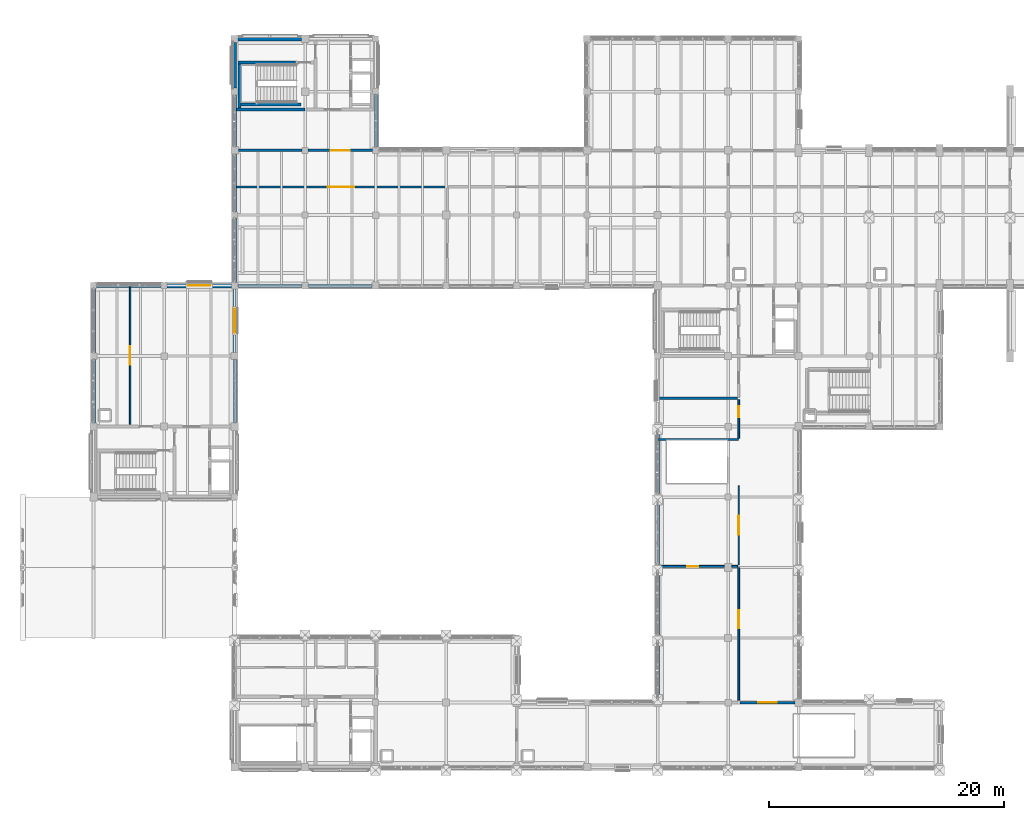
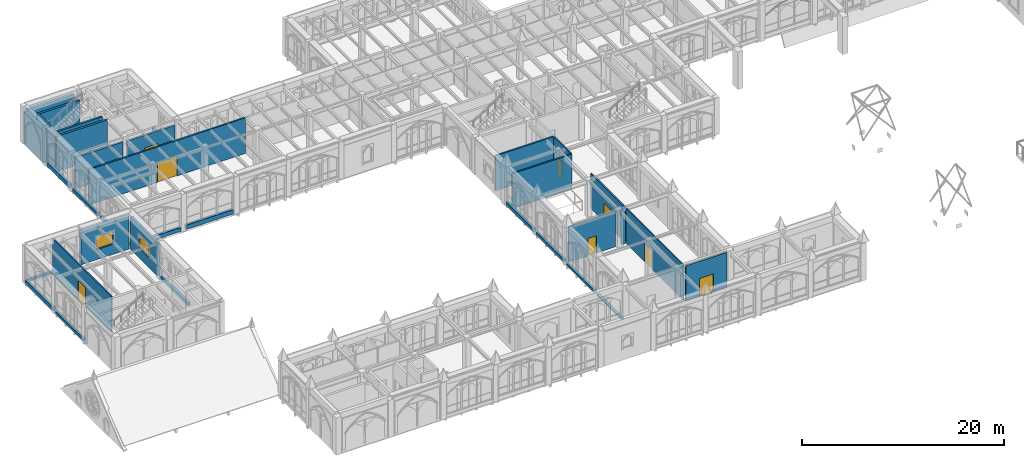
# One storey, part 103 of 143: 34 walls, 8 doors, 2 windows, 10 openings.
"""IFC4 building model written with IfcOpenShell, lengths in metres."""

from ifc_helpers import new_model, si_unit, direction, frame, frame_2d, origin, place, context, subcontext, project, spatial, rectangle, extrude, material, layer, layer_set, type_object, element, fill, save


model = new_model("IFC4")

# Units and contexts
model_context = context("Model", 3, precision=1e-05, world=origin(), true_north=direction((0.0, 1.0)))
body_context = subcontext(model_context, "Body", "Model", "MODEL_VIEW")
ifc_project = project(units=[si_unit("LENGTHUNIT", "METRE"), si_unit("AREAUNIT", "SQUARE_METRE"), si_unit("VOLUMEUNIT", "CUBIC_METRE"), si_unit("PLANEANGLEUNIT", "RADIAN"), si_unit("MASSUNIT", "GRAM", prefix="KILO")], contexts=[model_context])

# Site, building, storey
site_placement = place(None, origin())
site = spatial("IfcSite", under=ifc_project, at=site_placement, CompositionType="ELEMENT")
building_placement = place(site_placement, origin())
building = spatial("IfcBuilding", under=site, at=building_placement, Name="Cumevento Cable Car Station", CompositionType="ELEMENT")
storey_placement = place(building_placement, frame((0.0, 0.0, 9.0)))
storey = spatial("IfcBuildingStorey", under=building, at=storey_placement, Name="L03", CompositionType="ELEMENT", Elevation=9.0)

# Walls
ifc_material_1 = material(Name="Gnaisse Facoidal Stone Ashlar 85 MPa", Category="masonry")
ifc_layer_1 = layer(ifc_material_1, 0.294921875)
ifc_layer_set_1 = layer_set([ifc_layer_1], Name="Gnaisse Facoidal Stone Ashlar 85 MPa")
wall_type_1 = type_object("IfcWallType", Name="Exterior Envelope Wall EW-295 295", PredefinedType="SOLIDWALL", material=ifc_layer_set_1)
wall_1_placement = place(storey_placement, frame((58.0, 9.824951171875, 0.0), z_axis=(0.0, 0.0, 1.0), x_axis=(0.0, 1.0, 0.0)))
element("IfcWall", 1, at=wall_1_placement, inside=storey, type_object=wall_type_1, Name="Exterior Sill Curb Wall EW-295 L03 #201", PredefinedType="SOLIDWALL", context=body_context, shape_type="SweptSolid", body=[
    extrude(rectangle(XDim=4.925048828125, YDim=0.294921875, at=frame_2d((2.46240234375, 0.0))), origin(), (0.0, 0.0, 1.0), 0.159912109375),
])
wall_2_placement = place(storey_placement, frame((58.0, 15.25, 0.0), z_axis=(0.0, 0.0, 1.0), x_axis=(0.0, 1.0, 0.0)))
element("IfcWall", 2, at=wall_2_placement, inside=storey, type_object=wall_type_1, Name="Exterior Sill Curb Wall EW-295 L03 #203", PredefinedType="SOLIDWALL", context=body_context, shape_type="SweptSolid", body=[
    extrude(rectangle(XDim=5.47509765625, YDim=0.294921875, at=frame_2d((2.737548828125, 0.0))), origin(), (0.0, 0.0, 1.0), 0.260009765625),
])
wall_3_placement = place(storey_placement, frame((58.0, 21.27490234375, 0.0), z_axis=(0.0, 0.0, 1.0), x_axis=(0.0, 1.0, 0.0)))
element("IfcWall", 3, at=wall_3_placement, inside=storey, type_object=wall_type_1, Name="Exterior Sill Curb Wall EW-295 L03 #205", PredefinedType="SOLIDWALL", context=body_context, shape_type="SweptSolid", body=[
    extrude(rectangle(XDim=5.425048828125, YDim=0.294921875, at=frame_2d((2.71240234375, 0.0))), origin(), (0.0, 0.0, 1.0), 0.360107421875),
])
wall_4_placement = place(storey_placement, frame((58.0, 27.300048828125, 0.0), z_axis=(0.0, 0.0, 1.0), x_axis=(0.0, 1.0, 0.0)))
element("IfcWall", 4, at=wall_4_placement, inside=storey, type_object=wall_type_1, Name="Exterior Sill Curb Wall EW-295 L03 #207", PredefinedType="SOLIDWALL", context=body_context, shape_type="SweptSolid", body=[
    extrude(rectangle(XDim=5.375, YDim=0.294921875, at=frame_2d((2.6875, 0.0))), origin(), (0.0, 0.0, 1.0), 0.409912109375),
])
wall_5_placement = place(storey_placement, frame((10.25, 45.0, 0.0), z_axis=(0.0, 0.0, 1.0), x_axis=(1.0, 0.0, 0.0)))
element("IfcWall", 5, at=wall_5_placement, inside=storey, type_object=wall_type_1, Name="Exterior Sill Curb Wall EW-295 L03 #219", PredefinedType="SOLIDWALL", context=body_context, shape_type="SweptSolid", body=[
    extrude(rectangle(XDim=5.5, YDim=0.294921875, at=frame_2d((2.75, 0.0))), origin(), (0.0, 0.0, 1.0), 0.260009765625),
])
wall_6_placement = place(storey_placement, frame((10.0, 33.300048828125, 0.0), z_axis=(0.0, 0.0, 1.0), x_axis=(0.0, 1.0, 0.0)))
element("IfcWall", 6, at=wall_6_placement, inside=storey, type_object=wall_type_1, Name="Exterior Sill Curb Wall EW-295 L03 #221", PredefinedType="SOLIDWALL", context=body_context, shape_type="SweptSolid", body=[
    extrude(rectangle(XDim=5.425048828125, YDim=0.294921875, at=frame_2d((2.71240234375, 0.0))), origin(), (0.0, 0.0, 1.0), 0.31005859375),
])
wall_7_placement = place(storey_placement, frame((22.0, 38.699951171875, 0.0), z_axis=(0.0, 0.0, 1.0), x_axis=(0.0, -1.0, 0.0)))
element("IfcWall", 7, at=wall_7_placement, inside=storey, type_object=wall_type_1, Name="Exterior Sill Curb Wall EW-295 L03 #222", PredefinedType="SOLIDWALL", context=body_context, shape_type="SweptSolid", body=[
    extrude(rectangle(XDim=5.375, YDim=0.294921875, at=frame_2d((2.6875, 0.0))), origin(), (0.0, 0.0, 1.0), 0.360107421875),
])
wall_8_placement = place(storey_placement, frame((10.0, 39.27490234375, 0.0), z_axis=(0.0, 0.0, 1.0), x_axis=(0.0, 1.0, 0.0)))
element("IfcWall", 8, at=wall_8_placement, inside=storey, type_object=wall_type_1, Name="Exterior Sill Curb Wall EW-295 L03 #223", PredefinedType="SOLIDWALL", context=body_context, shape_type="SweptSolid", body=[
    extrude(rectangle(XDim=5.47509765625, YDim=0.294921875, at=frame_2d((2.737548828125, 0.0))), origin(), (0.0, 0.0, 1.0), 0.409912109375),
])
wall_9_placement = place(storey_placement, frame((27.72509765625, 45.0, 0.0), z_axis=(0.0, 0.0, 1.0), x_axis=(-1.0, 0.0, 0.0)))
element("IfcWall", 9, at=wall_9_placement, inside=storey, type_object=wall_type_1, Name="Exterior Sill Curb Wall EW-295 L03 #225", PredefinedType="SOLIDWALL", context=body_context, shape_type="SweptSolid", body=[
    extrude(rectangle(XDim=5.4501953125, YDim=0.294921875, at=frame_2d((2.72509765625, 0.0))), origin(), (0.0, 0.0, 1.0), 0.4599609375),
])
wall_10_placement = place(storey_placement, frame((33.699951171875, 45.0, 0.0), z_axis=(0.0, 0.0, 1.0), x_axis=(-1.0, 0.0, 0.0)))
element("IfcWall", 10, at=wall_10_placement, inside=storey, type_object=wall_type_1, Name="Exterior Sill Curb Wall EW-295 L03 #226", PredefinedType="SOLIDWALL", context=body_context, shape_type="SweptSolid", body=[
    extrude(rectangle(XDim=5.425048828125, YDim=0.294921875, at=frame_2d((2.71240234375, 0.0))), origin(), (0.0, 0.0, 1.0), 0.52001953125),
])
wall_11_placement = place(storey_placement, frame((22.0, 45.27490234375, 0.0), z_axis=(0.0, 0.0, 1.0), x_axis=(0.0, 1.0, 0.0)))
element("IfcWall", 11, at=wall_11_placement, inside=storey, type_object=wall_type_1, Name="Exterior Sill Curb Wall EW-295 L03 #233", PredefinedType="SOLIDWALL", context=body_context, shape_type="SweptSolid", body=[
    extrude(rectangle(XDim=5.47509765625, YDim=0.294921875, at=frame_2d((2.737548828125, 0.0))), origin(), (0.0, 0.0, 1.0), 0.360107421875),
])
wall_12_placement = place(storey_placement, frame((22.0, 51.25, 0.0), z_axis=(0.0, 0.0, 1.0), x_axis=(0.0, 1.0, 0.0)))
element("IfcWall", 12, at=wall_12_placement, inside=storey, type_object=wall_type_1, Name="Exterior Sill Curb Wall EW-295 L03 #234", PredefinedType="SOLIDWALL", context=body_context, shape_type="SweptSolid", body=[
    extrude(rectangle(XDim=4.925048828125, YDim=0.294921875, at=frame_2d((2.46240234375, 0.0))), origin(), (0.0, 0.0, 1.0), 0.409912109375),
])
wall_13_placement = place(storey_placement, frame((22.0, 56.824951171875, 0.0), z_axis=(0.0, 0.0, 1.0), x_axis=(0.0, 1.0, 0.0)))
element("IfcWall", 13, at=wall_13_placement, inside=storey, type_object=wall_type_1, Name="Exterior Sill Curb Wall EW-295 L03 #237", PredefinedType="SOLIDWALL", context=body_context, shape_type="SweptSolid", body=[
    extrude(rectangle(XDim=4.375, YDim=0.294921875, at=frame_2d((2.1875, 0.0))), origin(), (0.0, 0.0, 1.0), 0.4599609375),
])
wall_14_placement = place(storey_placement, frame((34.0, 61.25, 0.0), z_axis=(0.0, 0.0, 1.0), x_axis=(0.0, -1.0, 0.0)))
element("IfcWall", 14, at=wall_14_placement, inside=storey, type_object=wall_type_1, Name="Exterior Sill Curb Wall EW-295 L03 #238", PredefinedType="SOLIDWALL", context=body_context, shape_type="SweptSolid", body=[
    extrude(rectangle(XDim=4.47509765625, YDim=0.294921875, at=frame_2d((2.237548828125, 0.0))), origin(), (0.0, 0.0, 1.0), 0.52001953125),
])

# Wall, opening, window
ifc_material_2 = material(Name="Gnaisse Facoidal Stone Ashlar 85 MPa", Category="masonry")
ifc_layer_2 = layer(ifc_material_2, 0.31005859375)
ifc_layer_set_2 = layer_set([ifc_layer_2], Name="Gnaisse Facoidal Stone Ashlar 85 MPa")
wall_type_2 = type_object("IfcWallType", Name="Exterior Envelope Wall EW-310 310", PredefinedType="SOLIDWALL", material=ifc_layer_set_2)
wall_15_placement = place(storey_placement, frame((22.0, 44.72509765625, 0.0), z_axis=(0.0, 0.0, 1.0), x_axis=(0.0, -1.0, 0.0)))
wall_15 = element("IfcWall", 15, at=wall_15_placement, inside=storey, type_object=wall_type_2, Name="Exterior Wall EW-310 L03 #224", PredefinedType="SOLIDWALL", context=body_context, shape_type="SweptSolid", body=[
    extrude(rectangle(XDim=5.425048828125, YDim=0.31005859375, at=frame_2d((2.71240234375, 0.0))), origin(), (0.0, 0.0, 1.0), 3.89306640625),
])
opening_1_placement = place(wall_15_placement, frame((1.6875, 0.0, 1.199951171875)))
opening_1 = element("IfcOpeningElement", 16, at=opening_1_placement, cuts=wall_15, Name="Opening WN-L03-072", PredefinedType="OPENING", context=body_context, shape_type="SweptSolid", body=[
    extrude(rectangle(XDim=2.050048828125, YDim=1.550048828125, at=frame_2d((1.02490234375, 0.77490234375))), frame((0.0, 0.1650390625, 0.0), z_axis=(0.0, -1.0, 0.0), x_axis=(1.0, 0.0, 0.0)), (0.0, 0.0, 1.0), 0.330078125),
])
ifc_material_3 = material(Name="Anodised Bronze Aluminium & Laminated Solar Glass", Category="aluminium")
window_type_1 = type_object("IfcWindowType", Name="Lancet Window WN-24 2050x1550", PartitioningType="DOUBLE_PANEL_VERTICAL", PredefinedType="WINDOW", material=ifc_material_3)
window_1_placement = place(opening_1_placement, origin())
window_1 = element("IfcWindow", 17, at=window_1_placement, inside=storey, type_object=window_type_1, Name="Lancet Window WN-L03-072 (WN-24)", OverallHeight=1.550048828125, OverallWidth=2.050048828125, PartitioningType="SINGLE_PANEL", PredefinedType="WINDOW", context=body_context, shape_type="SweptSolid", body=[
    extrude(rectangle(XDim=2.050048828125, YDim=1.550048828125, at=frame_2d((1.02490234375, 0.77490234375))), frame((0.0, 0.030029296875, 0.0), z_axis=(0.0, -1.0, 0.0), x_axis=(1.0, 0.0, 0.0)), (0.0, 0.0, 1.0), 0.06005859375),
])
fill(opening_1, window_1)

# Walls
ifc_material_4 = material(Name="Concrete C40/50", Category="concrete")
ifc_layer_3 = layer(ifc_material_4, 0.35498046875)
ifc_layer_set_3 = layer_set([ifc_layer_3], Name="Concrete C40/50")
wall_type_3 = type_object("IfcWallType", Name="Exterior Envelope Wall EW-355 355", PredefinedType="SOLIDWALL", material=ifc_layer_set_3)
wall_16_placement = place(storey_placement, frame((22.300048828125, 66.0, 0.0), z_axis=(0.0, 0.0, 1.0), x_axis=(1.0, 0.0, 0.0)))
element("IfcWall", 18, at=wall_16_placement, inside=storey, type_object=wall_type_3, Name="Exterior Wall EW-355 L03 #235", PredefinedType="SOLIDWALL", context=body_context, shape_type="SweptSolid", body=[
    extrude(rectangle(XDim=5.375, YDim=0.35498046875, at=frame_2d((2.6875, 0.0))), origin(), (0.0, 0.0, 1.0), 3.85693359375),
])
wall_17_placement = place(storey_placement, frame((22.0, 61.800048828125, 0.0), z_axis=(0.0, 0.0, 1.0), x_axis=(0.0, 1.0, 0.0)))
element("IfcWall", 19, at=wall_17_placement, inside=storey, type_object=wall_type_3, Name="Exterior Wall EW-355 L03 #239", PredefinedType="SOLIDWALL", context=body_context, shape_type="SweptSolid", body=[
    extrude(rectangle(XDim=3.89990234375, YDim=0.35498046875, at=frame_2d((1.949951171875, 0.0))), origin(), (0.0, 0.0, 1.0), 3.85693359375),
])

# Wall, opening, window
ifc_material_5 = material(Name="Concrete C40/50", Category="concrete")
ifc_layer_4 = layer(ifc_material_5, 0.449951171875)
ifc_layer_set_4 = layer_set([ifc_layer_4], Name="Concrete C40/50")
wall_type_4 = type_object("IfcWallType", Name="Exterior Envelope Wall EW-450 450", PredefinedType="SOLIDWALL", material=ifc_layer_set_4)
wall_18_placement = place(storey_placement, frame((16.25, 45.0, 0.0), z_axis=(0.0, 0.0, 1.0), x_axis=(1.0, 0.0, 0.0)))
wall_18 = element("IfcWall", 20, at=wall_18_placement, inside=storey, type_object=wall_type_4, Name="Exterior Wall EW-450 L03 #220", PredefinedType="SOLIDWALL", context=body_context, shape_type="SweptSolid", body=[
    extrude(rectangle(XDim=5.47509765625, YDim=0.449951171875, at=frame_2d((2.737548828125, 0.0))), origin(), (0.0, 0.0, 1.0), 3.89306640625),
])
opening_2_placement = place(wall_18_placement, frame((1.78759765625, 0.0, 1.199951171875)))
opening_2 = element("IfcOpeningElement", 21, at=opening_2_placement, cuts=wall_18, Name="Opening WN-L03-071", PredefinedType="OPENING", context=body_context, shape_type="SweptSolid", body=[
    extrude(rectangle(XDim=1.89990234375, YDim=1.550048828125, at=frame_2d((0.949951171875, 0.77490234375))), frame((0.0, 0.235107421875, 0.0), z_axis=(0.0, -1.0, 0.0), x_axis=(1.0, 0.0, 0.0)), (0.0, 0.0, 1.0), 0.469970703125),
])
ifc_material_6 = material(Name="Anodised Bronze Aluminium & Laminated Solar Glass", Category="aluminium")
window_type_2 = type_object("IfcWindowType", Name="Lancet Window WN-23 1900x1550", PartitioningType="DOUBLE_PANEL_VERTICAL", PredefinedType="WINDOW", material=ifc_material_6)
window_2_placement = place(opening_2_placement, origin())
window_2 = element("IfcWindow", 22, at=window_2_placement, inside=storey, type_object=window_type_2, Name="Lancet Window WN-L03-071 (WN-23)", OverallHeight=1.550048828125, OverallWidth=1.89990234375, PartitioningType="SINGLE_PANEL", PredefinedType="WINDOW", context=body_context, shape_type="SweptSolid", body=[
    extrude(rectangle(XDim=1.89990234375, YDim=1.550048828125, at=frame_2d((0.949951171875, 0.77490234375))), frame((0.0, 0.030029296875, 0.0), z_axis=(0.0, -1.0, 0.0), x_axis=(1.0, 0.0, 0.0)), (0.0, 0.0, 1.0), 0.06005859375),
])
fill(opening_2, window_2)

# Wall, opening, door
ifc_material_7 = material(Name="Concrete C40/50", Category="concrete")
ifc_layer_5 = layer(ifc_material_7, 0.219970703125)
ifc_layer_set_5 = layer_set([ifc_layer_5], Name="Concrete C40/50")
wall_type_5 = type_object("IfcWallType", Name="Interior Partition FW-220 220", PredefinedType="SOLIDWALL", material=ifc_layer_set_5)
wall_19_placement = place(storey_placement, frame((65.0, 9.5, 0.0), z_axis=(0.0, 0.0, 1.0), x_axis=(1.0, 0.0, 0.0)))
wall_19 = element("IfcWall", 23, at=wall_19_placement, inside=storey, type_object=wall_type_5, Name="Interior Wall FW-220 L03 #635", PredefinedType="SOLIDWALL", context=body_context, shape_type="SweptSolid", body=[
    extrude(rectangle(XDim=4.673095703125, YDim=0.219970703125, at=frame_2d((2.33642578125, 0.0))), origin(), (0.0, 0.0, 1.0), 4.239990234375),
])
opening_3_placement = place(wall_19_placement, frame((1.54638671875, 0.0, 0.0)))
opening_3 = element("IfcOpeningElement", 24, at=opening_3_placement, cuts=wall_19, Name="Opening DR-L03-236", PredefinedType="OPENING", context=body_context, shape_type="SweptSolid", body=[
    extrude(rectangle(XDim=1.580078125, YDim=2.199951171875, at=frame_2d((0.7900390625, 1.10009765625))), frame((0.0, 0.119873046875, 0.0), z_axis=(0.0, -1.0, 0.0), x_axis=(1.0, 0.0, 0.0)), (0.0, 0.0, 1.0), 0.239990234375),
])
ifc_material_8 = material(Name="Galvanised Painted Steel Fire Door", Category="steel")
door_type_1 = type_object("IfcDoorType", Name="Interior Door FD-06 1580x2200", OperationType="NOTDEFINED", PredefinedType="DOOR", material=ifc_material_8)
door_1_placement = place(opening_3_placement, origin())
door_1 = element("IfcDoor", 25, at=door_1_placement, inside=storey, type_object=door_type_1, Name="Interior Door DR-L03-236 (FD-06)", OperationType="DOUBLE_DOOR_SINGLE_SWING", OverallHeight=2.199951171875, OverallWidth=1.580078125, PredefinedType="DOOR", context=body_context, shape_type="SweptSolid", body=[
    extrude(rectangle(XDim=1.580078125, YDim=2.199951171875, at=frame_2d((0.7900390625, 1.10009765625))), frame((0.0, 0.02490234375, 0.0), z_axis=(0.0, -1.0, 0.0), x_axis=(1.0, 0.0, 0.0)), (0.0, 0.0, 1.0), 0.050048828125),
])
fill(opening_3, door_1)

wall_20_placement = place(storey_placement, frame((28.251953125, 56.5, 0.0), z_axis=(0.0, 0.0, 1.0), x_axis=(1.0, 0.0, 0.0)))
wall_20 = element("IfcWall", 26, at=wall_20_placement, inside=storey, type_object=wall_type_5, Name="Interior Wall FW-220 L03 #656", PredefinedType="SOLIDWALL", context=body_context, shape_type="SweptSolid", body=[
    extrude(rectangle(XDim=5.470947265625, YDim=0.219970703125, at=frame_2d((2.7353515625, 0.0))), origin(), (0.0, 0.0, 1.0), 3.72509765625),
])
opening_4_placement = place(wall_20_placement, frame((1.945556640625, 0.0, 0.0)))
opening_4 = element("IfcOpeningElement", 27, at=opening_4_placement, cuts=wall_20, Name="Opening DR-L03-251", PredefinedType="OPENING", context=body_context, shape_type="SweptSolid", body=[
    extrude(rectangle(XDim=1.580078125, YDim=2.199951171875, at=frame_2d((0.7900390625, 1.10009765625))), frame((0.0, 0.119873046875, 0.0), z_axis=(0.0, -1.0, 0.0), x_axis=(1.0, 0.0, 0.0)), (0.0, 0.0, 1.0), 0.239990234375),
])
door_2_placement = place(opening_4_placement, origin())
door_2 = element("IfcDoor", 28, at=door_2_placement, inside=storey, type_object=door_type_1, Name="Interior Door DR-L03-251 (FD-06)", OperationType="DOUBLE_DOOR_SINGLE_SWING", OverallHeight=2.199951171875, OverallWidth=1.580078125, PredefinedType="DOOR", context=body_context, shape_type="SweptSolid", body=[
    extrude(rectangle(XDim=1.580078125, YDim=2.199951171875, at=frame_2d((0.7900390625, 1.10009765625))), frame((0.0, 0.02490234375, 0.0), z_axis=(0.0, -1.0, 0.0), x_axis=(1.0, 0.0, 0.0)), (0.0, 0.0, 1.0), 0.050048828125),
])
fill(opening_4, door_2)

# Wall
wall_21_placement = place(storey_placement, frame((22.326904296875, 56.5, 0.0), z_axis=(0.0, 0.0, 1.0), x_axis=(1.0, 0.0, 0.0)))
element("IfcWall", 29, at=wall_21_placement, inside=storey, type_object=wall_type_5, Name="Interior Wall FW-220 L03 #657", PredefinedType="SOLIDWALL", context=body_context, shape_type="SweptSolid", body=[
    extrude(rectangle(XDim=5.421142578125, YDim=0.219970703125, at=frame_2d((2.71044921875, 0.0))), origin(), (0.0, 0.0, 1.0), 3.801025390625),
])

# Wall, opening, door
ifc_material_9 = material(Name="Gypsum Board & Insulated Stud Partition", Category="gypsum")
ifc_layer_6 = layer(ifc_material_9, 0.135009765625)
ifc_layer_set_6 = layer_set([ifc_layer_6], Name="Gypsum Board & Insulated Stud Partition")
wall_type_6 = type_object("IfcWallType", Name="Interior Partition PT-135 135", PredefinedType="PARTITIONING", material=ifc_layer_set_6)
wall_22_placement = place(storey_placement, frame((64.89990234375, 9.699951171875, 0.0), z_axis=(0.0, 0.0, 1.0), x_axis=(0.0, 1.0, 0.0)))
wall_22 = element("IfcWall", 30, at=wall_22_placement, inside=storey, type_object=wall_type_6, Name="Interior Wall PT-135 L03 #638", PredefinedType="PARTITIONING", context=body_context, shape_type="SweptSolid", body=[
    extrude(rectangle(XDim=11.300048828125, YDim=0.135009765625, at=frame_2d((5.64990234375, 0.0))), origin(), (0.0, 0.0, 1.0), 4.239990234375),
])
opening_5_placement = place(wall_22_placement, frame((6.1298828125, 0.0, 0.0)))
opening_5 = element("IfcOpeningElement", 31, at=opening_5_placement, cuts=wall_22, Name="Opening DR-L03-238", PredefinedType="OPENING", context=body_context, shape_type="SweptSolid", body=[
    extrude(rectangle(XDim=1.5400390625, YDim=2.260009765625, at=frame_2d((0.77001953125, 1.1298828125))), frame((0.0, 0.077392578125, 0.0), z_axis=(0.0, -1.0, 0.0), x_axis=(1.0, 0.0, 0.0)), (0.0, 0.0, 1.0), 0.155029296875),
])
ifc_material_10 = material(Name="Anodised Bronze Aluminium Glazed Door", Category="aluminium")
door_type_2 = type_object("IfcDoorType", Name="Interior Door ID-11 1540x2260", OperationType="NOTDEFINED", PredefinedType="DOOR", material=ifc_material_10)
door_3_placement = place(opening_5_placement, origin())
door_3 = element("IfcDoor", 32, at=door_3_placement, inside=storey, type_object=door_type_2, Name="Interior Door DR-L03-238 (ID-11)", OperationType="DOUBLE_DOOR_SINGLE_SWING", OverallHeight=2.260009765625, OverallWidth=1.5400390625, PredefinedType="DOOR", context=body_context, shape_type="SweptSolid", body=[
    extrude(rectangle(XDim=1.5400390625, YDim=2.260009765625, at=frame_2d((0.77001953125, 1.1298828125))), frame((0.0, 0.02490234375, 0.0), z_axis=(0.0, -1.0, 0.0), x_axis=(1.0, 0.0, 0.0)), (0.0, 0.0, 1.0), 0.050048828125),
])
fill(opening_5, door_3)

wall_23_placement = place(storey_placement, frame((13.10009765625, 33.199951171875, 0.0), z_axis=(0.0, 0.0, 1.0), x_axis=(0.0, 1.0, 0.0)))
wall_23 = element("IfcWall", 33, at=wall_23_placement, inside=storey, type_object=wall_type_6, Name="Interior Wall PT-135 L03 #649", PredefinedType="PARTITIONING", context=body_context, shape_type="SweptSolid", body=[
    extrude(rectangle(XDim=11.68798828125, YDim=0.135009765625, at=frame_2d((5.843994140625, 0.0))), origin(), (0.0, 0.0, 1.0), 4.300048828125),
])
opening_6_placement = place(wall_23_placement, frame((5.073974609375, 0.0, 0.0)))
opening_6 = element("IfcOpeningElement", 34, at=opening_6_placement, cuts=wall_23, Name="Opening DR-L03-246", PredefinedType="OPENING", context=body_context, shape_type="SweptSolid", body=[
    extrude(rectangle(XDim=1.5400390625, YDim=2.260009765625, at=frame_2d((0.77001953125, 1.1298828125))), frame((0.0, 0.077392578125, 0.0), z_axis=(0.0, -1.0, 0.0), x_axis=(1.0, 0.0, 0.0)), (0.0, 0.0, 1.0), 0.155029296875),
])
door_4_placement = place(opening_6_placement, origin())
door_4 = element("IfcDoor", 35, at=door_4_placement, inside=storey, type_object=door_type_2, Name="Interior Door DR-L03-246 (ID-11)", OperationType="DOUBLE_DOOR_SINGLE_SWING", OverallHeight=2.260009765625, OverallWidth=1.5400390625, PredefinedType="DOOR", context=body_context, shape_type="SweptSolid", body=[
    extrude(rectangle(XDim=1.5400390625, YDim=2.260009765625, at=frame_2d((0.77001953125, 1.1298828125))), frame((0.0, 0.02490234375, 0.0), z_axis=(0.0, -1.0, 0.0), x_axis=(1.0, 0.0, 0.0)), (0.0, 0.0, 1.0), 0.050048828125),
])
fill(opening_6, door_4)

ifc_material_11 = material(Name="Gypsum Board & Insulated Stud Partition", Category="gypsum")
ifc_layer_7 = layer(ifc_material_11, 0.14501953125)
ifc_layer_set_7 = layer_set([ifc_layer_7], Name="Gypsum Board & Insulated Stud Partition")
wall_type_7 = type_object("IfcWallType", Name="Interior Partition PT-145 145", PredefinedType="PARTITIONING", material=ifc_layer_set_7)
wall_24_placement = place(storey_placement, frame((64.89990234375, 21.199951171875, 0.0), z_axis=(0.0, 0.0, 1.0), x_axis=(0.0, 1.0, 0.0)))
wall_24 = element("IfcWall", 36, at=wall_24_placement, inside=storey, type_object=wall_type_7, Name="Interior Wall PT-145 L03 #639", PredefinedType="PARTITIONING", context=body_context, shape_type="SweptSolid", body=[
    extrude(rectangle(XDim=6.800048828125, YDim=0.14501953125, at=frame_2d((3.39990234375, 0.0))), origin(), (0.0, 0.0, 1.0), 4.239990234375),
])
opening_7_placement = place(wall_24_placement, frame((2.610107421875, 0.0, 0.0)))
opening_7 = element("IfcOpeningElement", 37, at=opening_7_placement, cuts=wall_24, Name="Opening DR-L03-239", PredefinedType="OPENING", context=body_context, shape_type="SweptSolid", body=[
    extrude(rectangle(XDim=1.580078125, YDim=2.199951171875, at=frame_2d((0.7900390625, 1.10009765625))), frame((0.0, 0.08251953125, 0.0), z_axis=(0.0, -1.0, 0.0), x_axis=(1.0, 0.0, 0.0)), (0.0, 0.0, 1.0), 0.1650390625),
])
door_5_placement = place(opening_7_placement, origin())
door_5 = element("IfcDoor", 38, at=door_5_placement, inside=storey, type_object=door_type_1, Name="Interior Door DR-L03-239 (FD-06)", OperationType="DOUBLE_DOOR_SINGLE_SWING", OverallHeight=2.199951171875, OverallWidth=1.580078125, PredefinedType="DOOR", context=body_context, shape_type="SweptSolid", body=[
    extrude(rectangle(XDim=1.580078125, YDim=2.199951171875, at=frame_2d((0.7900390625, 1.10009765625))), frame((0.0, 0.02490234375, 0.0), z_axis=(0.0, -1.0, 0.0), x_axis=(1.0, 0.0, 0.0)), (0.0, 0.0, 1.0), 0.050048828125),
])
fill(opening_7, door_5)

ifc_material_12 = material(Name="Gypsum Board & Insulated Stud Partition", Category="gypsum")
ifc_layer_8 = layer(ifc_material_12, 0.155029296875)
ifc_layer_set_8 = layer_set([ifc_layer_8], Name="Gypsum Board & Insulated Stud Partition")
wall_type_8 = type_object("IfcWallType", Name="Interior Partition PT-155 155", PredefinedType="PARTITIONING", material=ifc_layer_set_8)
wall_25_placement = place(storey_placement, frame((64.89990234375, 32.0, 0.0), z_axis=(0.0, 0.0, 1.0), x_axis=(0.0, 1.0, 0.0)))
wall_25 = element("IfcWall", 39, at=wall_25_placement, inside=storey, type_object=wall_type_8, Name="Interior Wall PT-155 L03 #640", PredefinedType="PARTITIONING", context=body_context, shape_type="SweptSolid", body=[
    extrude(rectangle(XDim=3.300048828125, YDim=0.155029296875, at=frame_2d((1.64990234375, 0.0))), origin(), (0.0, 0.0, 1.0), 4.239990234375),
])
opening_8_placement = place(wall_25_placement, frame((1.780029296875, 0.0, 0.0)))
opening_8 = element("IfcOpeningElement", 40, at=opening_8_placement, cuts=wall_25, Name="Opening DR-L03-240", PredefinedType="OPENING", context=body_context, shape_type="SweptSolid", body=[
    extrude(rectangle(XDim=0.93994140625, YDim=2.10009765625, at=frame_2d((0.469970703125, 1.050048828125))), frame((0.0, 0.087646484375, 0.0), z_axis=(0.0, -1.0, 0.0), x_axis=(1.0, 0.0, 0.0)), (0.0, 0.0, 1.0), 0.175048828125),
])
ifc_material_13 = material(Name="Galvanised Painted Steel Fire Door", Category="steel")
door_type_3 = type_object("IfcDoorType", Name="Interior Door FD-08 940x2100", OperationType="NOTDEFINED", PredefinedType="DOOR", material=ifc_material_13)
door_6_placement = place(opening_8_placement, origin())
door_6 = element("IfcDoor", 41, at=door_6_placement, inside=storey, type_object=door_type_3, Name="Interior Door DR-L03-240 (FD-08)", OperationType="SINGLE_SWING_RIGHT", OverallHeight=2.10009765625, OverallWidth=0.93994140625, PredefinedType="DOOR", context=body_context, shape_type="SweptSolid", body=[
    extrude(rectangle(XDim=0.93994140625, YDim=2.10009765625, at=frame_2d((0.469970703125, 1.050048828125))), frame((0.0, 0.02490234375, 0.0), z_axis=(0.0, -1.0, 0.0), x_axis=(1.0, 0.0, 0.0)), (0.0, 0.0, 1.0), 0.050048828125),
])
fill(opening_8, door_6)

wall_26_placement = place(storey_placement, frame((58.277099609375, 21.10009765625, 0.0), z_axis=(0.0, 0.0, 1.0), x_axis=(1.0, 0.0, 0.0)))
wall_26 = element("IfcWall", 42, at=wall_26_placement, inside=storey, type_object=wall_type_8, Name="Interior Wall PT-155 L03 #642", PredefinedType="PARTITIONING", context=body_context, shape_type="SweptSolid", body=[
    extrude(rectangle(XDim=5.39599609375, YDim=0.155029296875, at=frame_2d((2.697998046875, 0.0))), origin(), (0.0, 0.0, 1.0), 4.239990234375),
])
opening_9_placement = place(wall_26_placement, frame((2.22802734375, 0.0, 0.0)))
opening_9 = element("IfcOpeningElement", 43, at=opening_9_placement, cuts=wall_26, Name="Opening DR-L03-242", PredefinedType="OPENING", context=body_context, shape_type="SweptSolid", body=[
    extrude(rectangle(XDim=0.93994140625, YDim=2.10009765625, at=frame_2d((0.469970703125, 1.050048828125))), frame((0.0, 0.087646484375, 0.0), z_axis=(0.0, -1.0, 0.0), x_axis=(1.0, 0.0, 0.0)), (0.0, 0.0, 1.0), 0.175048828125),
])
door_7_placement = place(opening_9_placement, origin())
door_7 = element("IfcDoor", 44, at=door_7_placement, inside=storey, type_object=door_type_3, Name="Interior Door DR-L03-242 (FD-08)", OperationType="SINGLE_SWING_RIGHT", OverallHeight=2.10009765625, OverallWidth=0.93994140625, PredefinedType="DOOR", context=body_context, shape_type="SweptSolid", body=[
    extrude(rectangle(XDim=0.93994140625, YDim=2.10009765625, at=frame_2d((0.469970703125, 1.050048828125))), frame((0.0, 0.02490234375, 0.0), z_axis=(0.0, -1.0, 0.0), x_axis=(1.0, 0.0, 0.0)), (0.0, 0.0, 1.0), 0.050048828125),
])
fill(opening_9, door_7)

# Walls
wall_27_placement = place(storey_placement, frame((64.326904296875, 21.10009765625, 0.0), z_axis=(0.0, 0.0, 1.0), x_axis=(1.0, 0.0, 0.0)))
element("IfcWall", 45, at=wall_27_placement, inside=storey, type_object=wall_type_8, Name="Interior Wall PT-155 L03 #643", PredefinedType="PARTITIONING", context=body_context, shape_type="SweptSolid", body=[
    extrude(rectangle(XDim=0.47314453125, YDim=0.155029296875, at=frame_2d((0.236572265625, 0.0))), origin(), (0.0, 0.0, 1.0), 4.239990234375),
])
ifc_material_14 = material(Name="Moisture-Resistant Tile & Stud Partition", Category="gypsum")
ifc_layer_9 = layer(ifc_material_14, 0.175048828125)
ifc_layer_set_9 = layer_set([ifc_layer_9], Name="Moisture-Resistant Tile & Stud Partition")
wall_type_9 = type_object("IfcWallType", Name="Interior Partition PT-175 175", PredefinedType="PARTITIONING", material=ifc_layer_set_9)
wall_28_placement = place(storey_placement, frame((58.080078125, 31.909912109375, 0.0), z_axis=(0.0, 0.0, 1.0), x_axis=(1.0, 0.0, 0.0)))
element("IfcWall", 46, at=wall_28_placement, inside=storey, type_object=wall_type_9, Name="Interior Wall PT-175 L03 #747", PredefinedType="PARTITIONING", context=body_context, shape_type="SweptSolid", body=[
    extrude(rectangle(XDim=6.81982421875, YDim=0.175048828125, at=frame_2d((3.409912109375, 0.0))), origin(), (0.0, 0.0, 1.0), 4.216064453125),
])

# Wall, opening, door
ifc_material_15 = material(Name="Moisture-Resistant Tile & Stud Partition", Category="gypsum")
ifc_layer_10 = layer(ifc_material_15, 0.18505859375)
ifc_layer_set_10 = layer_set([ifc_layer_10], Name="Moisture-Resistant Tile & Stud Partition")
wall_type_10 = type_object("IfcWallType", Name="Interior Partition PT-185 185", PredefinedType="PARTITIONING", material=ifc_layer_set_10)
wall_29_placement = place(storey_placement, frame((22.096923828125, 53.39990234375, 0.0), z_axis=(0.0, 0.0, 1.0), x_axis=(1.0, 0.0, 0.0)))
wall_29 = element("IfcWall", 47, at=wall_29_placement, inside=storey, type_object=wall_type_10, Name="Interior Wall PT-185 L03 #652", PredefinedType="PARTITIONING", context=body_context, shape_type="SweptSolid", body=[
    extrude(rectangle(XDim=17.903076171875, YDim=0.18505859375, at=frame_2d((8.95166015625, 0.0))), origin(), (0.0, 0.0, 1.0), 4.300048828125),
])
opening_10_placement = place(wall_29_placement, frame((7.83154296875, 0.0, 0.0)))
opening_10 = element("IfcOpeningElement", 48, at=opening_10_placement, cuts=wall_29, Name="Opening DR-L03-248", PredefinedType="OPENING", context=body_context, shape_type="SweptSolid", body=[
    extrude(rectangle(XDim=2.239990234375, YDim=2.39990234375, at=frame_2d((1.1201171875, 1.199951171875))), frame((0.0, 0.1025390625, 0.0), z_axis=(0.0, -1.0, 0.0), x_axis=(1.0, 0.0, 0.0)), (0.0, 0.0, 1.0), 0.205078125),
])
ifc_material_16 = material(Name="Anodised Bronze Aluminium Glazed Door", Category="aluminium")
door_type_4 = type_object("IfcDoorType", Name="Interior Door ID-16 2240x2400", OperationType="NOTDEFINED", PredefinedType="DOOR", material=ifc_material_16)
door_8_placement = place(opening_10_placement, origin())
door_8 = element("IfcDoor", 49, at=door_8_placement, inside=storey, type_object=door_type_4, Name="Interior Door DR-L03-248 (ID-16)", OperationType="DOUBLE_DOOR_SINGLE_SWING", OverallHeight=2.39990234375, OverallWidth=2.239990234375, PredefinedType="DOOR", context=body_context, shape_type="SweptSolid", body=[
    extrude(rectangle(XDim=2.239990234375, YDim=2.39990234375, at=frame_2d((1.1201171875, 1.199951171875))), frame((0.0, 0.02490234375, 0.0), z_axis=(0.0, -1.0, 0.0), x_axis=(1.0, 0.0, 0.0)), (0.0, 0.0, 1.0), 0.050048828125),
])
fill(opening_10, door_8)

# Walls
ifc_material_17 = material(Name="Acoustic Double-Stud Partition", Category="gypsum")
ifc_layer_11 = layer(ifc_material_17, 0.195068359375)
ifc_layer_set_11 = layer_set([ifc_layer_11], Name="Acoustic Double-Stud Partition")
wall_type_11 = type_object("IfcWallType", Name="Interior Partition PT-195 195", PredefinedType="PARTITIONING", material=ifc_layer_set_11)
wall_30_placement = place(storey_placement, frame((58.14208984375, 35.39990234375, 0.0), z_axis=(0.0, 0.0, 1.0), x_axis=(1.0, 0.0, 0.0)))
element("IfcWall", 50, at=wall_30_placement, inside=storey, type_object=wall_type_11, Name="Interior Wall PT-195 L03 #644", PredefinedType="PARTITIONING", context=body_context, shape_type="SweptSolid", body=[
    extrude(rectangle(XDim=6.657958984375, YDim=0.195068359375, at=frame_2d((3.3291015625, 0.0))), origin(), (0.0, 0.0, 1.0), 4.239990234375),
])
ifc_material_18 = material(Name="Concrete C40/50", Category="concrete")
ifc_layer_12 = layer(ifc_material_18, 0.22998046875)
ifc_layer_set_12 = layer_set([ifc_layer_12], Name="Concrete C40/50")
wall_type_12 = type_object("IfcWallType", Name="Interior Shear Wall CW-230 230", PredefinedType="SHEAR", material=ifc_layer_set_12)
wall_31_placement = place(storey_placement, frame((22.405029296875, 60.114990234375, 0.0), z_axis=(0.0, 0.0, 1.0), x_axis=(0.0, 1.0, 0.0)))
element("IfcWall", 51, at=wall_31_placement, inside=storey, type_object=wall_type_12, Name="Interior Wall CW-230 L03 #374", PredefinedType="SHEAR", context=body_context, shape_type="SweptSolid", body=[
    extrude(rectangle(XDim=3.735107421875, YDim=0.22998046875, at=frame_2d((1.86767578125, 0.0))), origin(), (0.0, 0.0, 1.0), 4.5),
])
wall_32_placement = place(storey_placement, frame((22.52001953125, 60.405029296875, 0.0), z_axis=(0.0, 0.0, 1.0), x_axis=(1.0, 0.0, 0.0)))
element("IfcWall", 52, at=wall_32_placement, inside=storey, type_object=wall_type_12, Name="Interior Wall CW-230 L03 #375", PredefinedType="SHEAR", context=body_context, shape_type="SweptSolid", body=[
    extrude(rectangle(XDim=5.1298828125, YDim=0.22998046875, at=frame_2d((2.56494140625, 0.0))), origin(), (0.0, 0.0, 1.0), 4.5),
])
ifc_material_19 = material(Name="Concrete C40/50", Category="concrete")
ifc_layer_13 = layer(ifc_material_19, 0.25)
ifc_layer_set_13 = layer_set([ifc_layer_13], Name="Concrete C40/50")
wall_type_13 = type_object("IfcWallType", Name="Interior Shear Wall CW-250 250", PredefinedType="SHEAR", material=ifc_layer_set_13)
wall_33_placement = place(storey_placement, frame((22.175048828125, 60.0, 0.0), z_axis=(0.0, 0.0, 1.0), x_axis=(1.0, 0.0, 0.0)))
element("IfcWall", 53, at=wall_33_placement, inside=storey, type_object=wall_type_13, Name="Interior Wall CW-250 L03 #372", PredefinedType="SHEAR", context=body_context, shape_type="SweptSolid", body=[
    extrude(rectangle(XDim=5.824951171875, YDim=0.25, at=frame_2d((2.91259765625, 0.0))), origin(), (0.0, 0.0, 1.0), 4.263916015625),
])
wall_34_placement = place(storey_placement, frame((22.2900390625, 63.97509765625, 0.0), z_axis=(0.0, 0.0, 1.0), x_axis=(1.0, 0.0, 0.0)))
element("IfcWall", 54, at=wall_34_placement, inside=storey, type_object=wall_type_13, Name="Interior Wall CW-250 L03 #376", PredefinedType="SHEAR", context=body_context, shape_type="SweptSolid", body=[
    extrude(rectangle(XDim=4.869873046875, YDim=0.25, at=frame_2d((2.43505859375, 0.0))), origin(), (0.0, 0.0, 1.0), 4.5),
])

save(model, "model.ifc")
